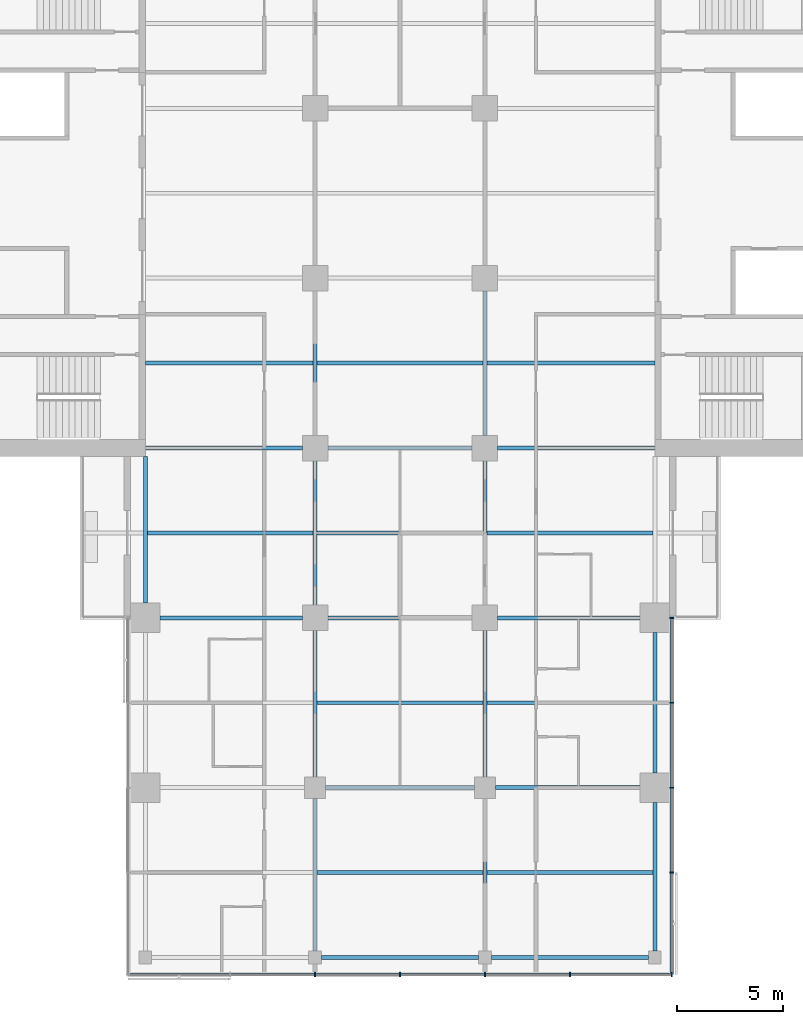
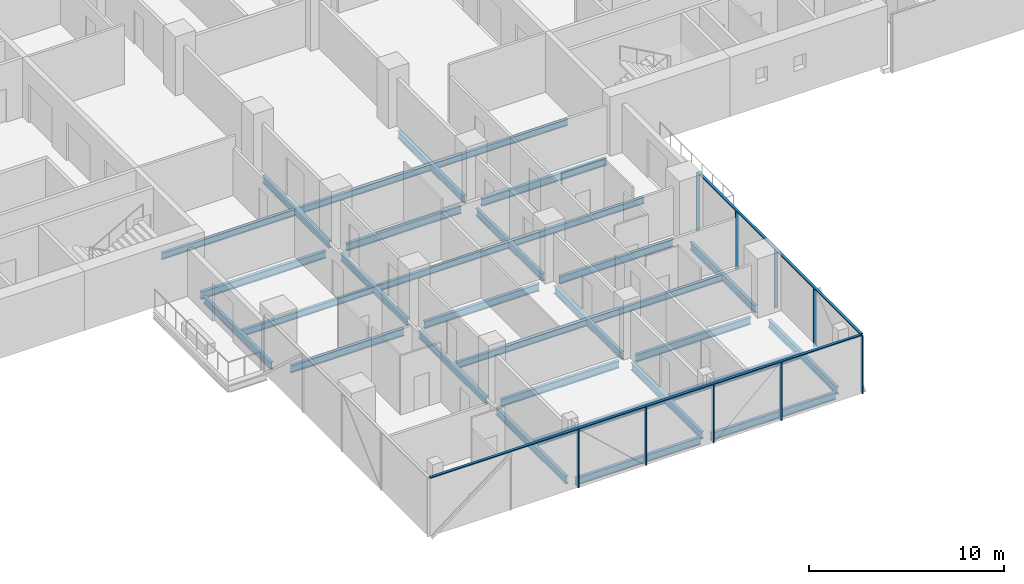
# One storey, part 4 of 27: 31 beams, 11 members, 2 elements without a shape of their own.
"""IFC4 building model written with IfcOpenShell, lengths in metres."""

from ifc_helpers import new_model, si_unit, direction, frame, origin, origin_2d, place, context, subcontext, project, spatial, rectangle, i_section, extrude, material, material_profile, profile_set, type_object, element, aggregate, save


model = new_model("IFC4")

# Units and contexts
model_context = context("Model", 3, precision=1e-05, world=origin(), true_north=direction((0.0, 1.0)))
body_context = subcontext(model_context, "Body", "Model", "MODEL_VIEW")
ifc_project = project(units=[si_unit("LENGTHUNIT", "METRE"), si_unit("AREAUNIT", "SQUARE_METRE"), si_unit("VOLUMEUNIT", "CUBIC_METRE"), si_unit("PLANEANGLEUNIT", "RADIAN"), si_unit("MASSUNIT", "GRAM", prefix="KILO")], contexts=[model_context])

# Site, building, storey
site_placement = place(None, origin())
site = spatial("IfcSite", under=ifc_project, at=site_placement, CompositionType="ELEMENT")
building_placement = place(site_placement, origin())
building = spatial("IfcBuilding", under=site, at=building_placement, Name="Crosswind Convention Tower", CompositionType="ELEMENT")
storey_placement = place(building_placement, frame((0.0, 0.0, 75.699951171875)))
storey = spatial("IfcBuildingStorey", under=building, at=storey_placement, Name="L13", CompositionType="ELEMENT", Elevation=75.699951171875)

# Beams
ifc_material_1 = material(Name="Steel S355", Category="steel")
ifc_material_profile_1 = material_profile(ifc_material_1, i_section(OverallWidth=0.1904296875, OverallDepth=0.457275390625, WebThickness=0.009033203125, FlangeThickness=0.014404296875, FilletRadius=0.01025390625, at=origin_2d()), Name="UB 457x191x75")
ifc_profile_set_1 = profile_set([ifc_material_profile_1], Name="Steel S355")
beam_type_1 = type_object("IfcBeamType", Name="Edge beam UB 457x191x75", PredefinedType="SPANDREL", material=ifc_profile_set_1)
beam_1_placement = place(storey_placement, frame((113.0, 80.699951171875, -0.508544921875), z_axis=(0.0, 1.0, 0.0), x_axis=(-1.0, 0.0, 0.0)))
element("IfcBeam", 1, at=beam_1_placement, inside=storey, type_object=beam_type_1, Name="B17 L13 edge beam 8", PredefinedType="SPANDREL", context=body_context, shape_type="SweptSolid", body=[
    extrude(i_section(OverallWidth=0.1904296875, OverallDepth=0.457275390625, WebThickness=0.009033203125, FlangeThickness=0.014404296875, FilletRadius=0.01025390625, at=origin_2d()), origin(), (0.0, 0.0, 1.0), 6.900146484375),
])
for number, where, z_axis, x_axis, name in (
    (2, (121.300048828125, 64.0, -0.508544921875), (1.0, 0.0, 0.0), (0.0, 1.0, 0.0), "B17 L13 edge beam 14"),
    (3, (129.300048828125, 64.0, -0.508544921875), (1.0, 0.0, 0.0), (0.0, 1.0, 0.0), "B17 L13 edge beam 16"),
):
    element("IfcBeam", number, at=place(storey_placement, frame(where, z_axis=z_axis, x_axis=x_axis)), inside=storey, type_object=beam_type_1, Name=name, PredefinedType="SPANDREL", context=body_context, shape_type="SweptSolid", body=[
        extrude(i_section(OverallWidth=0.1904296875, OverallDepth=0.457275390625, WebThickness=0.009033203125, FlangeThickness=0.014404296875, FilletRadius=0.01025390625, at=origin_2d()), origin(), (0.0, 0.0, 1.0), 7.39990234375),
    ])
beam_2_placement = place(storey_placement, frame((137.0, 64.300048828125, -0.508544921875), z_axis=(0.0, 1.0, 0.0), x_axis=(-1.0, 0.0, 0.0)))
element("IfcBeam", 4, at=beam_2_placement, inside=storey, type_object=beam_type_1, Name="B17 L13 edge beam 18", PredefinedType="SPANDREL", context=body_context, shape_type="SweptSolid", body=[
    extrude(i_section(OverallWidth=0.1904296875, OverallDepth=0.457275390625, WebThickness=0.009033203125, FlangeThickness=0.014404296875, FilletRadius=0.01025390625, at=origin_2d()), origin(), (0.0, 0.0, 1.0), 7.0),
])
beam_3_placement = place(storey_placement, frame((137.0, 72.699951171875, -0.508544921875), z_axis=(0.0, 1.0, 0.0), x_axis=(-1.0, 0.0, 0.0)))
element("IfcBeam", 5, at=beam_3_placement, inside=storey, type_object=beam_type_1, Name="B17 L13 edge beam 19", PredefinedType="SPANDREL", context=body_context, shape_type="SweptSolid", body=[
    extrude(i_section(OverallWidth=0.1904296875, OverallDepth=0.457275390625, WebThickness=0.009033203125, FlangeThickness=0.014404296875, FilletRadius=0.01025390625, at=origin_2d()), origin(), (0.0, 0.0, 1.0), 6.60009765625),
])
ifc_material_profile_2 = material_profile(ifc_material_1, i_section(OverallWidth=0.19140625, OverallDepth=0.460205078125, WebThickness=0.010009765625, FlangeThickness=0.01611328125, FilletRadius=0.01025390625, at=origin_2d()), Name="UB 457x191x82")
ifc_profile_set_2 = profile_set([ifc_material_profile_2], Name="Steel S355")
beam_type_2 = type_object("IfcBeamType", Name="Girder UB 457x191x82", PredefinedType="BEAM", material=ifc_profile_set_2)
beam_4_placement = place(storey_placement, frame((113.699951171875, 80.0, -0.510009765625), z_axis=(1.0, 0.0, 0.0), x_axis=(0.0, 1.0, 0.0)))
element("IfcBeam", 6, at=beam_4_placement, inside=storey, type_object=beam_type_2, Name="B3 L13 girder 2", PredefinedType="BEAM", context=body_context, shape_type="SweptSolid", body=[
    extrude(i_section(OverallWidth=0.19140625, OverallDepth=0.460205078125, WebThickness=0.010009765625, FlangeThickness=0.01611328125, FilletRadius=0.01025390625, at=origin_2d()), origin(), (0.0, 0.0, 1.0), 6.699951171875),
])
beam_5_placement = place(storey_placement, frame((121.0, 64.300048828125, -0.510009765625), z_axis=(0.0, 1.0, 0.0), x_axis=(-1.0, 0.0, 0.0)))
element("IfcBeam", 7, at=beam_5_placement, inside=storey, type_object=beam_type_2, Name="B3 L13 girder 5", PredefinedType="BEAM", context=body_context, shape_type="SweptSolid", body=[
    extrude(i_section(OverallWidth=0.19140625, OverallDepth=0.460205078125, WebThickness=0.010009765625, FlangeThickness=0.01611328125, FilletRadius=0.01025390625, at=origin_2d()), origin(), (0.0, 0.0, 1.0), 7.199951171875),
])
beam_6_placement = place(storey_placement, frame((121.0, 72.5, -0.510009765625), z_axis=(0.0, 1.0, 0.0), x_axis=(-1.0, 0.0, 0.0)))
element("IfcBeam", 8, at=beam_6_placement, inside=storey, type_object=beam_type_2, Name="B3 L13 girder 6", PredefinedType="BEAM", context=body_context, shape_type="SweptSolid", body=[
    extrude(i_section(OverallWidth=0.19140625, OverallDepth=0.460205078125, WebThickness=0.010009765625, FlangeThickness=0.01611328125, FilletRadius=0.01025390625, at=origin_2d()), origin(), (0.0, 0.0, 1.0), 6.89990234375),
])
for number, where, z_axis, x_axis, name in (
    (9, (121.0, 80.60009765625, -0.510009765625), (0.0, 1.0, 0.0), (-1.0, 0.0, 0.0), "B3 L13 girder 7"),
    (10, (121.0, 88.60009765625, -0.510009765625), (0.0, 1.0, 0.0), (-1.0, 0.0, 0.0), "B3 L13 girder 8"),
):
    element("IfcBeam", number, at=place(storey_placement, frame(where, z_axis=z_axis, x_axis=x_axis)), inside=storey, type_object=beam_type_2, Name=name, PredefinedType="BEAM", context=body_context, shape_type="SweptSolid", body=[
        extrude(i_section(OverallWidth=0.19140625, OverallDepth=0.460205078125, WebThickness=0.010009765625, FlangeThickness=0.01611328125, FilletRadius=0.01025390625, at=origin_2d()), origin(), (0.0, 0.0, 1.0), 6.7998046875),
    ])
beam_7_placement = place(storey_placement, frame((121.5, 72.0, -0.510009765625), z_axis=(1.0, 0.0, 0.0), x_axis=(0.0, 1.0, 0.0)))
element("IfcBeam", 11, at=beam_7_placement, inside=storey, type_object=beam_type_2, Name="B3 L13 girder 14", PredefinedType="BEAM", context=body_context, shape_type="SweptSolid", body=[
    extrude(i_section(OverallWidth=0.19140625, OverallDepth=0.460205078125, WebThickness=0.010009765625, FlangeThickness=0.01611328125, FilletRadius=0.01025390625, at=origin_2d()), origin(), (0.0, 0.0, 1.0), 7.0),
])
for number, where, z_axis, x_axis, name in (
    (12, (121.60009765625, 80.0, -0.510009765625), (1.0, 0.0, 0.0), (0.0, 1.0, 0.0), "B3 L13 girder 16"),
    (13, (121.60009765625, 88.0, -0.510009765625), (1.0, 0.0, 0.0), (0.0, 1.0, 0.0), "B3 L13 girder 17"),
):
    element("IfcBeam", number, at=place(storey_placement, frame(where, z_axis=z_axis, x_axis=x_axis)), inside=storey, type_object=beam_type_2, Name=name, PredefinedType="BEAM", context=body_context, shape_type="SweptSolid", body=[
        extrude(i_section(OverallWidth=0.19140625, OverallDepth=0.460205078125, WebThickness=0.010009765625, FlangeThickness=0.01611328125, FilletRadius=0.01025390625, at=origin_2d()), origin(), (0.0, 0.0, 1.0), 6.7998046875),
    ])
beam_8_placement = place(storey_placement, frame((129.0, 64.300048828125, -0.510009765625), z_axis=(0.0, 1.0, 0.0), x_axis=(-1.0, 0.0, 0.0)))
element("IfcBeam", 14, at=beam_8_placement, inside=storey, type_object=beam_type_2, Name="B3 L13 girder 22", PredefinedType="BEAM", context=body_context, shape_type="SweptSolid", body=[
    extrude(i_section(OverallWidth=0.19140625, OverallDepth=0.460205078125, WebThickness=0.010009765625, FlangeThickness=0.01611328125, FilletRadius=0.01025390625, at=origin_2d()), origin(), (0.0, 0.0, 1.0), 7.199951171875),
])
beam_9_placement = place(storey_placement, frame((129.0, 72.5, -0.510009765625), z_axis=(0.0, 1.0, 0.0), x_axis=(-1.0, 0.0, 0.0)))
element("IfcBeam", 15, at=beam_9_placement, inside=storey, type_object=beam_type_2, Name="B3 L13 girder 23", PredefinedType="BEAM", context=body_context, shape_type="SweptSolid", body=[
    extrude(i_section(OverallWidth=0.19140625, OverallDepth=0.460205078125, WebThickness=0.010009765625, FlangeThickness=0.01611328125, FilletRadius=0.01025390625, at=origin_2d()), origin(), (0.0, 0.0, 1.0), 6.89990234375),
])
for number, where, z_axis, x_axis, name in (
    (16, (129.0, 80.60009765625, -0.510009765625), (0.0, 1.0, 0.0), (-1.0, 0.0, 0.0), "B3 L13 girder 24"),
    (17, (129.0, 88.60009765625, -0.510009765625), (0.0, 1.0, 0.0), (-1.0, 0.0, 0.0), "B3 L13 girder 25"),
):
    element("IfcBeam", number, at=place(storey_placement, frame(where, z_axis=z_axis, x_axis=x_axis)), inside=storey, type_object=beam_type_2, Name=name, PredefinedType="BEAM", context=body_context, shape_type="SweptSolid", body=[
        extrude(i_section(OverallWidth=0.19140625, OverallDepth=0.460205078125, WebThickness=0.010009765625, FlangeThickness=0.01611328125, FilletRadius=0.01025390625, at=origin_2d()), origin(), (0.0, 0.0, 1.0), 6.7998046875),
    ])
beam_10_placement = place(storey_placement, frame((129.5, 72.0, -0.510009765625), z_axis=(1.0, 0.0, 0.0), x_axis=(0.0, 1.0, 0.0)))
element("IfcBeam", 18, at=beam_10_placement, inside=storey, type_object=beam_type_2, Name="B3 L13 girder 31", PredefinedType="BEAM", context=body_context, shape_type="SweptSolid", body=[
    extrude(i_section(OverallWidth=0.19140625, OverallDepth=0.460205078125, WebThickness=0.010009765625, FlangeThickness=0.01611328125, FilletRadius=0.01025390625, at=origin_2d()), origin(), (0.0, 0.0, 1.0), 6.800048828125),
])
beam_11_placement = place(storey_placement, frame((129.60009765625, 80.0, -0.510009765625), z_axis=(1.0, 0.0, 0.0), x_axis=(0.0, 1.0, 0.0)))
element("IfcBeam", 19, at=beam_11_placement, inside=storey, type_object=beam_type_2, Name="B3 L13 girder 33", PredefinedType="BEAM", context=body_context, shape_type="SweptSolid", body=[
    extrude(i_section(OverallWidth=0.19140625, OverallDepth=0.460205078125, WebThickness=0.010009765625, FlangeThickness=0.01611328125, FilletRadius=0.01025390625, at=origin_2d()), origin(), (0.0, 0.0, 1.0), 6.699951171875),
])
ifc_material_profile_3 = material_profile(ifc_material_1, i_section(OverallWidth=0.19189453125, OverallDepth=0.463623046875, WebThickness=0.010498046875, FlangeThickness=0.017578125, FilletRadius=0.01025390625, at=origin_2d()), Name="UB 457x191x90")
ifc_profile_set_3 = profile_set([ifc_material_profile_3], Name="Steel S355")
beam_type_3 = type_object("IfcBeamType", Name="Girder at core wall UB 457x191x90", PredefinedType="BEAM", material=ifc_profile_set_3)
for number, where, z_axis, x_axis, name in (
    (20, (113.0, 88.0, -0.51171875), (1.0, 0.0, 0.0), (0.0, 1.0, 0.0), "B24 L13 girder at core wall 3"),
    (21, (129.60009765625, 88.0, -0.51171875), (1.0, 0.0, 0.0), (0.0, 1.0, 0.0), "B24 L13 girder at core wall 7"),
):
    element("IfcBeam", number, at=place(storey_placement, frame(where, z_axis=z_axis, x_axis=x_axis)), inside=storey, type_object=beam_type_3, Name=name, PredefinedType="BEAM", context=body_context, shape_type="SweptSolid", body=[
        extrude(i_section(OverallWidth=0.19189453125, OverallDepth=0.463623046875, WebThickness=0.010498046875, FlangeThickness=0.017578125, FilletRadius=0.01025390625, at=origin_2d()), origin(), (0.0, 0.0, 1.0), 7.39990234375),
    ])

# Curtain wall, members
ifc_material_2 = material(Name="Aluminium unitised curtain wall", Category="aluminium")
curtain_wall_type = type_object("IfcCurtainWallType", Name="HOTEL UNITISED WALL 200", PredefinedType="USERDEFINED", material=ifc_material_2)
curtain_wall_1_placement = place(storey_placement, origin())
curtain_wall_1 = element("IfcCurtainWall", 22, at=curtain_wall_1_placement, inside=storey, type_object=curtain_wall_type, Name="CW2 L13 S-TIP 1", ObjectType="UNITISED", PredefinedType="USERDEFINED")
ifc_material_3 = material(Name="Aluminium mullion", Category="aluminium")
ifc_material_profile_4 = material_profile(ifc_material_3, rectangle(XDim=0.199951171875, YDim=0.06494140625, at=origin_2d()), Name="AL 200X65")
ifc_profile_set_4 = profile_set([ifc_material_profile_4], Name="Aluminium mullion")
member_type_1 = type_object("IfcMemberType", Name="MULLION 65X200", PredefinedType="MULLION", material=ifc_profile_set_4)
member_1_placement = place(storey_placement, frame((121.0, 63.199951171875, -0.280029296875), z_axis=(0.0, 0.0, 1.0), x_axis=(0.0, -1.0, 0.0)))
member_1 = element("IfcMember", 23, at=member_1_placement, type_object=member_type_1, Name="CW2 mullion 3", PredefinedType="MULLION", context=body_context, shape_type="SweptSolid", body=[
    extrude(rectangle(XDim=0.199951171875, YDim=0.06494140625, at=origin_2d()), origin(), (0.0, 0.0, 1.0), 3.635009765625),
])
member_2_placement = place(storey_placement, frame((125.0, 63.199951171875, -0.280029296875), z_axis=(0.0, 0.0, 1.0), x_axis=(0.0, -1.0, 0.0)))
member_2 = element("IfcMember", 24, at=member_2_placement, type_object=member_type_1, Name="CW2 mullion 4", PredefinedType="MULLION", context=body_context, shape_type="SweptSolid", body=[
    extrude(rectangle(XDim=0.199951171875, YDim=0.06494140625, at=origin_2d()), origin(), (0.0, 0.0, 1.0), 3.635009765625),
])
member_3_placement = place(storey_placement, frame((129.0, 63.199951171875, -0.280029296875), z_axis=(0.0, 0.0, 1.0), x_axis=(0.0, -1.0, 0.0)))
member_3 = element("IfcMember", 25, at=member_3_placement, type_object=member_type_1, Name="CW2 mullion 5", PredefinedType="MULLION", context=body_context, shape_type="SweptSolid", body=[
    extrude(rectangle(XDim=0.199951171875, YDim=0.06494140625, at=origin_2d()), origin(), (0.0, 0.0, 1.0), 3.635009765625),
])
member_4_placement = place(storey_placement, frame((133.0, 63.199951171875, -0.280029296875), z_axis=(0.0, 0.0, 1.0), x_axis=(0.0, -1.0, 0.0)))
member_4 = element("IfcMember", 26, at=member_4_placement, type_object=member_type_1, Name="CW2 mullion 6", PredefinedType="MULLION", context=body_context, shape_type="SweptSolid", body=[
    extrude(rectangle(XDim=0.199951171875, YDim=0.06494140625, at=origin_2d()), origin(), (0.0, 0.0, 1.0), 3.635009765625),
])
member_5_placement = place(storey_placement, frame((137.800048828125, 63.199951171875, -0.280029296875), z_axis=(0.0, 0.0, 1.0), x_axis=(0.0, -1.0, 0.0)))
member_5 = element("IfcMember", 27, at=member_5_placement, type_object=member_type_1, Name="CW2 mullion 7", PredefinedType="MULLION", context=body_context, shape_type="SweptSolid", body=[
    extrude(rectangle(XDim=0.199951171875, YDim=0.06494140625, at=origin_2d()), origin(), (0.0, 0.0, 1.0), 3.635009765625),
])

curtain_wall_2_placement = place(storey_placement, origin())
curtain_wall_2 = element("IfcCurtainWall", 28, at=curtain_wall_2_placement, inside=storey, type_object=curtain_wall_type, Name="CW2 L13 S-E 1", ObjectType="UNITISED", PredefinedType="USERDEFINED")
member_6_placement = place(storey_placement, frame((137.800048828125, 68.0, -0.280029296875), z_axis=(0.0, 0.0, 1.0), x_axis=(1.0, 0.0, 0.0)))
member_6 = element("IfcMember", 29, at=member_6_placement, type_object=member_type_1, Name="CW2 mullion 2", PredefinedType="MULLION", context=body_context, shape_type="SweptSolid", body=[
    extrude(rectangle(XDim=0.199951171875, YDim=0.06494140625, at=origin_2d()), origin(), (0.0, 0.0, 1.0), 3.635009765625),
])
member_7_placement = place(storey_placement, frame((137.800048828125, 72.0, -0.280029296875), z_axis=(0.0, 0.0, 1.0), x_axis=(1.0, 0.0, 0.0)))
member_7 = element("IfcMember", 30, at=member_7_placement, type_object=member_type_1, Name="CW2 mullion 3", PredefinedType="MULLION", context=body_context, shape_type="SweptSolid", body=[
    extrude(rectangle(XDim=0.199951171875, YDim=0.06494140625, at=origin_2d()), origin(), (0.0, 0.0, 1.0), 3.635009765625),
])
member_8_placement = place(storey_placement, frame((137.800048828125, 76.0, -0.280029296875), z_axis=(0.0, 0.0, 1.0), x_axis=(1.0, 0.0, 0.0)))
member_8 = element("IfcMember", 31, at=member_8_placement, type_object=member_type_1, Name="CW2 mullion 4", PredefinedType="MULLION", context=body_context, shape_type="SweptSolid", body=[
    extrude(rectangle(XDim=0.199951171875, YDim=0.06494140625, at=origin_2d()), origin(), (0.0, 0.0, 1.0), 3.635009765625),
])
member_9_placement = place(storey_placement, frame((137.800048828125, 80.0, -0.280029296875), z_axis=(0.0, 0.0, 1.0), x_axis=(1.0, 0.0, 0.0)))
member_9 = element("IfcMember", 32, at=member_9_placement, type_object=member_type_1, Name="CW2 mullion 5", PredefinedType="MULLION", context=body_context, shape_type="SweptSolid", body=[
    extrude(rectangle(XDim=0.199951171875, YDim=0.06494140625, at=origin_2d()), origin(), (0.0, 0.0, 1.0), 3.635009765625),
])

# Beams
ifc_material_profile_5 = material_profile(ifc_material_1, i_section(OverallWidth=0.177734375, OverallDepth=0.406494140625, WebThickness=0.0078125, FlangeThickness=0.0126953125, FilletRadius=0.01025390625, at=origin_2d()), Name="UB 406x178x60")
ifc_profile_set_5 = profile_set([ifc_material_profile_5], Name="Steel S355")
beam_type_4 = type_object("IfcBeamType", Name="Secondary beam UB 406x178x60", PredefinedType="JOIST", material=ifc_profile_set_5)
beam_12_placement = place(storey_placement, frame((113.0, 92.0, -0.483154296875), z_axis=(1.0, 0.0, 0.0), x_axis=(0.0, 1.0, 0.0)))
element("IfcBeam", 33, at=beam_12_placement, inside=storey, type_object=beam_type_4, Name="B10 L13 secondary beam 4", PredefinedType="JOIST", context=body_context, shape_type="SweptSolid", body=[
    extrude(i_section(OverallWidth=0.177734375, OverallDepth=0.406494140625, WebThickness=0.0078125, FlangeThickness=0.0126953125, FilletRadius=0.01025390625, at=origin_2d()), origin(), (0.0, 0.0, 1.0), 7.904296875),
])
beam_13_placement = place(storey_placement, frame((113.09521484375, 84.0, -0.483154296875), z_axis=(1.0, 0.0, 0.0), x_axis=(0.0, 1.0, 0.0)))
element("IfcBeam", 34, at=beam_13_placement, inside=storey, type_object=beam_type_4, Name="B10 L13 secondary beam 9", PredefinedType="JOIST", context=body_context, shape_type="SweptSolid", body=[
    extrude(i_section(OverallWidth=0.177734375, OverallDepth=0.406494140625, WebThickness=0.0078125, FlangeThickness=0.0126953125, FilletRadius=0.01025390625, at=origin_2d()), origin(), (0.0, 0.0, 1.0), 7.80908203125),
])
for number, where, z_axis, x_axis, name in (
    (35, (121.095703125, 68.0, -0.483154296875), (1.0, 0.0, 0.0), (0.0, 1.0, 0.0), "B10 L13 secondary beam 13"),
    (36, (121.095703125, 76.0, -0.483154296875), (1.0, 0.0, 0.0), (0.0, 1.0, 0.0), "B10 L13 secondary beam 14"),
    (37, (121.095703125, 84.0, -0.483154296875), (1.0, 0.0, 0.0), (0.0, 1.0, 0.0), "B10 L13 secondary beam 15"),
    (38, (121.095703125, 92.0, -0.483154296875), (1.0, 0.0, 0.0), (0.0, 1.0, 0.0), "B10 L13 secondary beam 16"),
):
    element("IfcBeam", number, at=place(storey_placement, frame(where, z_axis=z_axis, x_axis=x_axis)), inside=storey, type_object=beam_type_4, Name=name, PredefinedType="JOIST", context=body_context, shape_type="SweptSolid", body=[
        extrude(i_section(OverallWidth=0.177734375, OverallDepth=0.406494140625, WebThickness=0.0078125, FlangeThickness=0.0126953125, FilletRadius=0.01025390625, at=origin_2d()), origin(), (0.0, 0.0, 1.0), 7.80859375),
    ])
for number, where, z_axis, x_axis, name in (
    (39, (129.095703125, 68.0, -0.483154296875), (1.0, 0.0, 0.0), (0.0, 1.0, 0.0), "B10 L13 secondary beam 22"),
    (40, (129.095703125, 76.0, -0.483154296875), (1.0, 0.0, 0.0), (0.0, 1.0, 0.0), "B10 L13 secondary beam 23"),
    (41, (129.095703125, 84.0, -0.483154296875), (1.0, 0.0, 0.0), (0.0, 1.0, 0.0), "B10 L13 secondary beam 24"),
):
    element("IfcBeam", number, at=place(storey_placement, frame(where, z_axis=z_axis, x_axis=x_axis)), inside=storey, type_object=beam_type_4, Name=name, PredefinedType="JOIST", context=body_context, shape_type="SweptSolid", body=[
        extrude(i_section(OverallWidth=0.177734375, OverallDepth=0.406494140625, WebThickness=0.0078125, FlangeThickness=0.0126953125, FilletRadius=0.01025390625, at=origin_2d()), origin(), (0.0, 0.0, 1.0), 7.80908203125),
    ])
beam_14_placement = place(storey_placement, frame((129.095703125, 92.0, -0.483154296875), z_axis=(1.0, 0.0, 0.0), x_axis=(0.0, 1.0, 0.0)))
element("IfcBeam", 42, at=beam_14_placement, inside=storey, type_object=beam_type_4, Name="B10 L13 secondary beam 25", PredefinedType="JOIST", context=body_context, shape_type="SweptSolid", body=[
    extrude(i_section(OverallWidth=0.177734375, OverallDepth=0.406494140625, WebThickness=0.0078125, FlangeThickness=0.0126953125, FilletRadius=0.01025390625, at=origin_2d()), origin(), (0.0, 0.0, 1.0), 7.904296875),
])

# Member
ifc_material_4 = material(Name="Aluminium transom", Category="aluminium")
ifc_material_profile_6 = material_profile(ifc_material_4, rectangle(XDim=0.14990234375, YDim=0.06494140625, at=origin_2d()), Name="AL 150X65")
ifc_profile_set_6 = profile_set([ifc_material_profile_6], Name="Aluminium transom")
member_type_2 = type_object("IfcMemberType", Name="TRANSOM 65X150", PredefinedType="USERDEFINED", material=ifc_profile_set_6)
member_10_placement = place(storey_placement, frame((112.232421875, 63.199951171875, 3.387451171875), z_axis=(1.0, 0.0, 0.0), x_axis=(0.0, 1.0, 0.0)))
member_10 = element("IfcMember", 43, at=member_10_placement, type_object=member_type_2, Name="CW2 transom", ObjectType="TRANSOM", PredefinedType="USERDEFINED", context=body_context, shape_type="SweptSolid", body=[
    extrude(rectangle(XDim=0.14990234375, YDim=0.06494140625, at=origin_2d()), origin(), (0.0, 0.0, 1.0), 25.53515625),
])

aggregate(curtain_wall_1, [member_1, member_2, member_3, member_4, member_5, member_10])

member_11_placement = place(storey_placement, frame((137.800048828125, 63.232421875, 3.387451171875), z_axis=(0.0, 1.0, 0.0), x_axis=(-1.0, 0.0, 0.0)))
member_11 = element("IfcMember", 44, at=member_11_placement, type_object=member_type_2, Name="CW2 transom", ObjectType="TRANSOM", PredefinedType="USERDEFINED", context=body_context, shape_type="SweptSolid", body=[
    extrude(rectangle(XDim=0.14990234375, YDim=0.06494140625, at=origin_2d()), origin(), (0.0, 0.0, 1.0), 16.735107421875),
])

aggregate(curtain_wall_2, [member_6, member_7, member_8, member_9, member_11])

save(model, "model.ifc")
